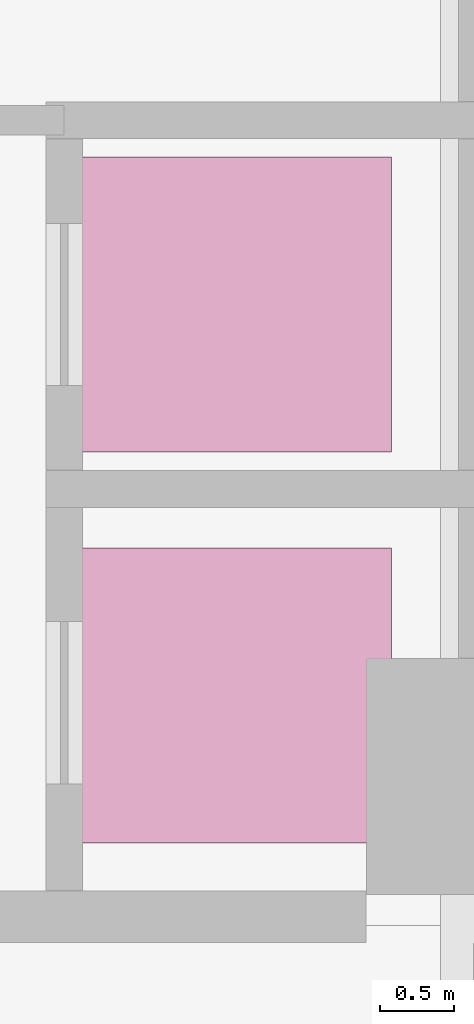
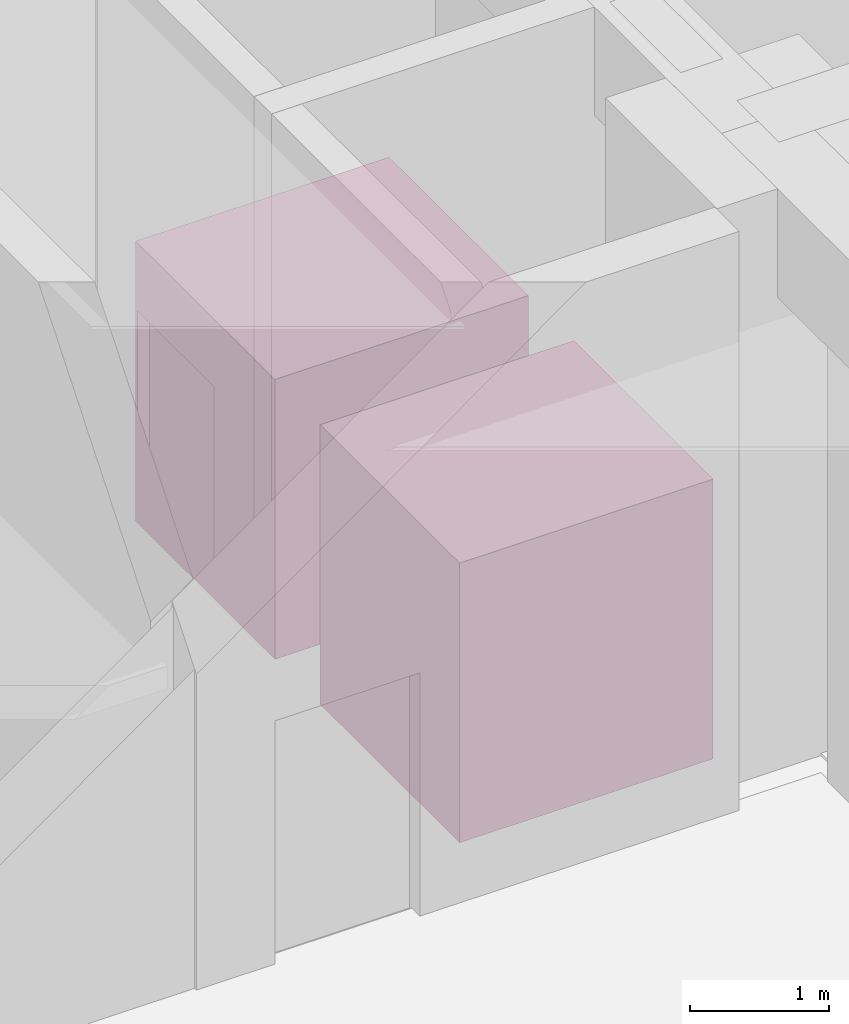
# One storey, part 20 of 20: 2 transport elements.
"""IFC4 building model written with IfcOpenShell, lengths in metres."""

from ifc_helpers import new_model, si_unit, direction, frame, origin, origin_2d, place, context, subcontext, project, spatial, rectangle, extrude, material, type_object, element, save


model = new_model("IFC4")

# Units and contexts
model_context = context("Model", 3, precision=1e-05, world=origin(), true_north=direction((0.0, 1.0)))
body_context = subcontext(model_context, "Body", "Model", "MODEL_VIEW")
ifc_project = project(units=[si_unit("LENGTHUNIT", "METRE"), si_unit("AREAUNIT", "SQUARE_METRE"), si_unit("VOLUMEUNIT", "CUBIC_METRE"), si_unit("PLANEANGLEUNIT", "RADIAN"), si_unit("MASSUNIT", "GRAM", prefix="KILO")], contexts=[model_context])

# Site, building, storey
site_placement = place(None, origin())
site = spatial("IfcSite", under=ifc_project, at=site_placement, CompositionType="ELEMENT")
building_placement = place(site_placement, origin())
building = spatial("IfcBuilding", under=site, at=building_placement, Name="Zulmaris Gate Convention Tower", CompositionType="ELEMENT")
storey_placement = place(building_placement, origin())
storey = spatial("IfcBuildingStorey", under=building, at=storey_placement, Name="L00", CompositionType="ELEMENT", Elevation=0.0)

# Transport elements
ifc_material = material(Name="Brushed Stainless Steel", Category="steel")
transport_element_type = type_object("IfcTransportElementType", Name="LIFT-SHUTTLE-2000", PredefinedType="ELEVATOR", material=ifc_material)
for number, where, z_axis, x_axis, name in (
    (1, (18.320068359375, -8.449951171875, 0.0), (0.0, 0.0, 1.0), (1.0, 0.0, 0.0), "Elevator SL-01"),
    (2, (18.320068359375, -5.800048828125, 0.0), (0.0, 0.0, 1.0), (1.0, 0.0, 0.0), "Elevator SL-02"),
):
    element("IfcTransportElement", number, at=place(storey_placement, frame(where, z_axis=z_axis, x_axis=x_axis)), inside=storey, type_object=transport_element_type, Name=name, PredefinedType="ELEVATOR", context=body_context, shape_type="SweptSolid", body=[
        extrude(rectangle(XDim=2.10009765625, YDim=2.0, at=origin_2d()), origin(), (0.0, 0.0, 1.0), 2.449951171875),
    ])

save(model, "model.ifc")
